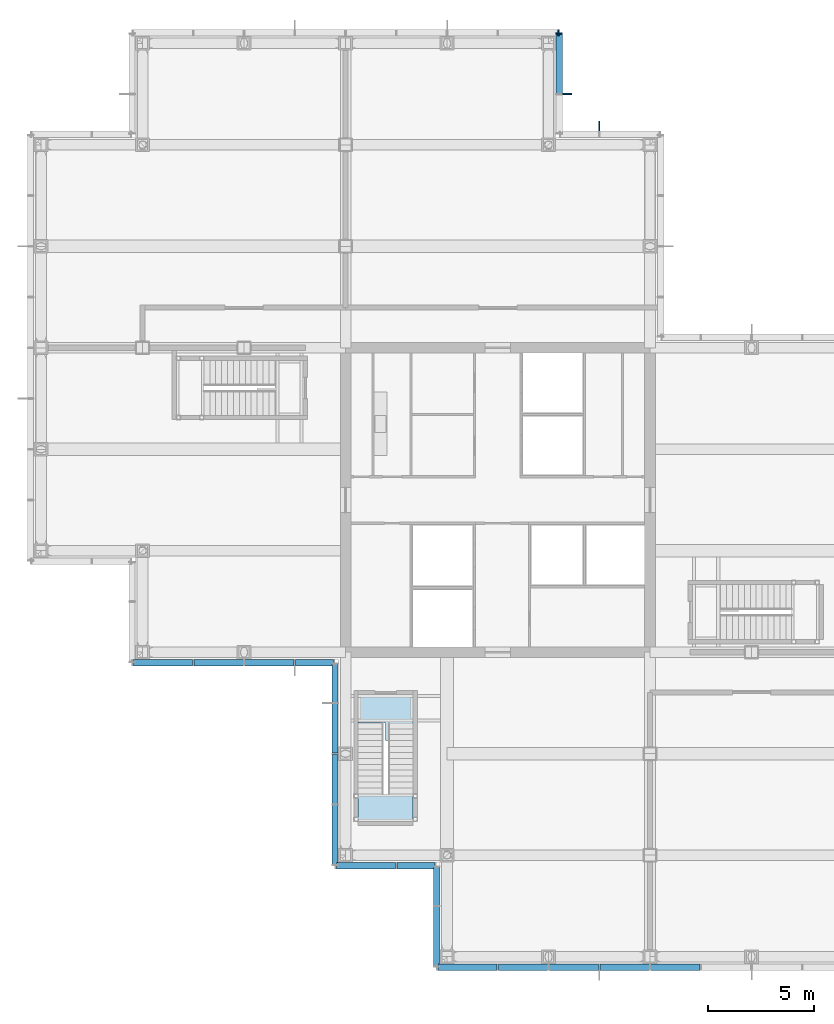
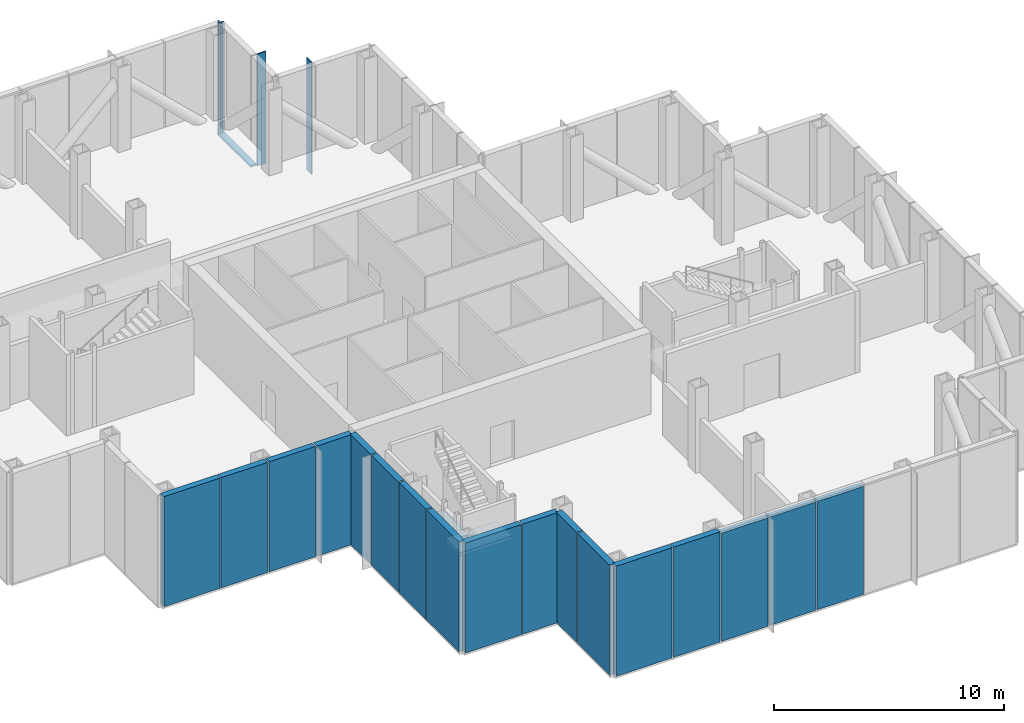
# One storey, part 11 of 17: 17 plates, 5 members, 2 slabs, 9 elements without a shape of their own.
"""IFC4 building model written with IfcOpenShell, lengths in metres."""

import ifcopenshell
import ifcopenshell.guid

model = None  # the IFC model being written
_history = None  # IfcOwnerHistory: only IFC2X3 demands one
_inside = {}  # id of a spatial element -> (the spatial element, [elements in it])
_under = {}  # id of a project, library or spatial element -> (it, [spatial elements below it])
_declared = {}  # id of a project -> (the project, [libraries it declares])
_typed = {}  # id of a type object -> (the type object, [elements of that type])
_made_of = {}  # id of a material, layer set ... -> (it, [elements and type objects made of it])


def new_model(schema):
    """Start an empty IFC model of exactly this schema.

    Asked for "IFC4X3", IfcOpenShell would pick the latest addendum, in which some entities
    have other attributes; the version numbers below select the first issue.
    IFC2X3 requires an IfcOwnerHistory on every rooted entity: one is made here for all.
    """
    global model, _history
    if schema == "IFC4X3":
        model = ifcopenshell.file(schema_version=(4, 3, 0, 0))
    else:
        model = ifcopenshell.file(schema=schema)
    _inside.clear()
    _under.clear()
    _declared.clear()
    _typed.clear()
    _made_of.clear()
    _history = None
    if model.schema == "IFC2X3":
        org = make("IfcOrganization", Name="unknown")
        user = make(
            "IfcPersonAndOrganization",
            ThePerson=make("IfcPerson", FamilyName="unknown"),
            TheOrganization=org,
        )
        app = make(
            "IfcApplication",
            ApplicationDeveloper=org,
            Version="unknown",
            ApplicationFullName="unknown",
            ApplicationIdentifier="unknown",
        )
        _history = make(
            "IfcOwnerHistory",
            OwningUser=user,
            OwningApplication=app,
            ChangeAction="ADDED",
            CreationDate=0,
        )
    return model


def make(cls, **values):
    """One entity of the class cls with the attributes given. An attribute that is None is left unset."""
    return model.create_entity(
        cls, **{name: value for name, value in values.items() if value is not None}
    )


def rooted(cls, **values):
    """An entity with a GlobalId (a new one), such as an element, a storey or a relation."""
    return make(cls, GlobalId=ifcopenshell.guid.new(), OwnerHistory=_history, **values)


def si_unit(unit_type, name, prefix=None):
    """IfcSIUnit, for example si_unit("LENGTHUNIT", "METRE", prefix="MILLI")."""
    return make("IfcSIUnit", UnitType=unit_type, Prefix=prefix, Name=name)


def assignment(units):
    """IfcUnitAssignment: the units of a project."""
    return None if units is None else make("IfcUnitAssignment", Units=units)


def point(xyz):
    """IfcCartesianPoint."""
    return None if xyz is None else make("IfcCartesianPoint", Coordinates=xyz)


def direction(xyz):
    """IfcDirection."""
    return None if xyz is None else make("IfcDirection", DirectionRatios=xyz)


def frame(location, z_axis=None, x_axis=None):
    """IfcAxis2Placement3D, a coordinate frame: its origin and axes. An axis left out is left unset."""
    return make(
        "IfcAxis2Placement3D",
        Location=point(location),
        Axis=direction(z_axis),
        RefDirection=direction(x_axis),
    )


def frame_2d(location, x_axis=None):
    """IfcAxis2Placement2D, a coordinate frame in the plane: its origin and x axis."""
    return make(
        "IfcAxis2Placement2D", Location=point(location), RefDirection=direction(x_axis)
    )


def origin():
    """The frame at (0, 0, 0) with its axes left unset."""
    return frame((0.0, 0.0, 0.0))


def origin_2d():
    """The frame at (0, 0) in the plane with its x axis left unset."""
    return frame_2d((0.0, 0.0))


def place(relative_to, where):
    """IfcLocalPlacement: puts the frame where relative to a parent placement (None: the world)."""
    return make(
        "IfcLocalPlacement", PlacementRelTo=relative_to, RelativePlacement=where
    )


def context(
    kind, dimensions, precision=None, world=None, true_north=None, identifier=None
):
    """IfcGeometricRepresentationContext, for example the 3D "Model" context."""
    return make(
        "IfcGeometricRepresentationContext",
        ContextIdentifier=identifier,
        ContextType=kind,
        CoordinateSpaceDimension=dimensions,
        Precision=precision,
        WorldCoordinateSystem=world,
        TrueNorth=true_north,
    )


def subcontext(parent, identifier, kind, view, scale=None):
    """IfcGeometricRepresentationSubContext, for example "Body" below "Model"."""
    return make(
        "IfcGeometricRepresentationSubContext",
        ContextIdentifier=identifier,
        ContextType=kind,
        ParentContext=parent,
        TargetScale=scale,
        TargetView=view,
    )


def project(units=None, contexts=None):
    """IfcProject with its units and contexts."""
    return rooted(
        "IfcProject",
        Name="project",
        RepresentationContexts=contexts,
        UnitsInContext=assignment(units),
    )


def spatial(cls, under=None, at=None, **own):
    """A site, building, storey or space (cls), placed at a placement, below another one or the project."""
    s = rooted(cls, ObjectPlacement=at, **own)
    if under is not None:
        _under.setdefault(under.id(), (under, []))[1].append(s)
    return s


def polyline(points):
    """IfcPolyline through the points."""
    return make("IfcPolyline", Points=[point(p) for p in points])


def profile(cls, at=None, kind="AREA", **sizes):
    """A parametric profile (cls). Its sizes go by their IFC names, for example OverallWidth=200.0."""
    return make(cls, ProfileType=kind, Position=at, **sizes)


def rectangle(**sizes):
    """IfcRectangleProfileDef."""
    return profile("IfcRectangleProfileDef", **sizes)


def outline(outer, holes=None, kind="AREA"):
    """IfcArbitraryClosedProfileDef: a profile drawn as a closed curve; with holes, ...WithVoids."""
    if holes is None:
        return make("IfcArbitraryClosedProfileDef", ProfileType=kind, OuterCurve=outer)
    return make(
        "IfcArbitraryProfileDefWithVoids",
        ProfileType=kind,
        OuterCurve=outer,
        InnerCurves=holes,
    )


def extrude(swept, where, along, depth):
    """IfcExtrudedAreaSolid: the profile swept, set in the frame where, extruded along a direction by depth."""
    return make(
        "IfcExtrudedAreaSolid",
        SweptArea=swept,
        Position=where,
        ExtrudedDirection=direction(along),
        Depth=depth,
    )


def shape(context_of_items, identifier, shape_type, items):
    """IfcShapeRepresentation: the items that make up one representation, for example the "Body"."""
    return make(
        "IfcShapeRepresentation",
        ContextOfItems=context_of_items,
        RepresentationIdentifier=identifier,
        RepresentationType=shape_type,
        Items=items,
    )


def material(Name=None, Category=None):
    """IfcMaterial."""
    return make("IfcMaterial", Name=Name, Category=Category)


def layer(
    of_material, thickness, ventilated=None, Name=None, Category=None, Priority=None
):
    """IfcMaterialLayer: one layer of a wall or slab, of a material (None: an air gap)."""
    return make(
        "IfcMaterialLayer",
        Material=of_material,
        LayerThickness=thickness,
        IsVentilated=ventilated,
        Name=Name,
        Category=Category,
        Priority=Priority,
    )


def layer_set(layers, Name=None):
    """IfcMaterialLayerSet."""
    return make("IfcMaterialLayerSet", MaterialLayers=layers, LayerSetName=Name)


def material_profile(
    of_material, cross_section, Name=None, Category=None, Priority=None
):
    """IfcMaterialProfile: a cross section and its material."""
    return make(
        "IfcMaterialProfile",
        Name=Name,
        Material=of_material,
        Profile=cross_section,
        Priority=Priority,
        Category=Category,
    )


def profile_set(profiles, Name=None, composite=None):
    """IfcMaterialProfileSet."""
    return make(
        "IfcMaterialProfileSet",
        Name=Name,
        MaterialProfiles=profiles,
        CompositeProfile=composite,
    )


def made_of(thing, what):
    """Note that an element or type object is made of a material, layer set ...; save() writes the relation."""
    if what is not None:
        _made_of.setdefault(what.id(), (what, []))[1].append(thing)
    return thing


def type_object(cls, material=None, **own):
    """A type object (cls), such as IfcWallType, which elements share."""
    return made_of(rooted(cls, **own), material)


def element(
    cls,
    number,
    at=None,
    inside=None,
    cuts=None,
    type_object=None,
    material=None,
    context=None,
    identifier="Body",
    shape_type=None,
    held_by="IfcProductDefinitionShape",
    body=None,
    shapes=None,
    **own,
):
    """One element of the class cls, such as IfcWall. Its Tag is "e" and its number.

    at: its placement. inside: the storey or other place that contains it. cuts: it is an
    opening in that element (IfcRelVoidsElement). A single representation is given by context,
    identifier, shape_type and body (its items); several are given by shapes. held_by: the class
    of the entity that holds the representations. save() writes the other relations.
    """
    e = rooted(cls, Tag="e%d" % number, ObjectPlacement=at, **own)
    if body is not None:
        shapes = [shape(context, identifier, shape_type, body)]
    if shapes is not None:
        e.Representation = make(held_by, Representations=shapes)
    if inside is not None:
        _inside.setdefault(inside.id(), (inside, []))[1].append(e)
    if cuts is not None:
        rooted(
            "IfcRelVoidsElement", RelatingBuildingElement=cuts, RelatedOpeningElement=e
        )
    if type_object is not None:
        _typed.setdefault(type_object.id(), (type_object, []))[1].append(e)
    return made_of(e, material)


def aggregate(whole, parts):
    """IfcRelAggregates: a whole, such as a stair, and the parts it consists of."""
    return rooted("IfcRelAggregates", RelatingObject=whole, RelatedObjects=parts)


def save(model, path):
    """Write the relations noted so far, then the file.

    IfcRelAggregates (storeys below a building ...), IfcRelContainedInSpatialStructure (elements
    in a storey), IfcRelDefinesByType, IfcRelAssociatesMaterial and IfcRelDeclares: one each for
    every whole, place, type object, material and project.
    """
    for whole, parts in _under.values():
        aggregate(whole, parts)
    for where, things in _inside.values():
        rooted(
            "IfcRelContainedInSpatialStructure",
            RelatedElements=things,
            RelatingStructure=where,
        )
    for kind, things in _typed.values():
        rooted("IfcRelDefinesByType", RelatedObjects=things, RelatingType=kind)
    for what, things in _made_of.values():
        rooted("IfcRelAssociatesMaterial", RelatedObjects=things, RelatingMaterial=what)
    for by, libraries in _declared.values():
        rooted("IfcRelDeclares", RelatingContext=by, RelatedDefinitions=libraries)
    model.write(path)


model = new_model("IFC4")

# Units and contexts
model_context = context("Model", 3, precision=1e-05, world=origin(), true_north=direction((0.0, 1.0)))
body_context = subcontext(model_context, "Body", "Model", "MODEL_VIEW")
ifc_project = project(units=[si_unit("LENGTHUNIT", "METRE"), si_unit("AREAUNIT", "SQUARE_METRE"), si_unit("VOLUMEUNIT", "CUBIC_METRE"), si_unit("PLANEANGLEUNIT", "RADIAN"), si_unit("MASSUNIT", "GRAM", prefix="KILO")], contexts=[model_context])

# Site, building, storey
site_placement = place(None, origin())
site = spatial("IfcSite", under=ifc_project, at=site_placement, CompositionType="ELEMENT")
building_placement = place(site_placement, origin())
building = spatial("IfcBuilding", under=site, at=building_placement, Name="Kvirike Care Tower", CompositionType="ELEMENT")
storey_placement = place(building_placement, frame((0.0, 0.0, 136.5)))
storey = spatial("IfcBuildingStorey", under=building, at=storey_placement, Name="L37", CompositionType="ELEMENT", Elevation=136.5)

# Curtain wall, member
ifc_material_1 = material(Name="Anodised aluminium stick system", Category="aluminium")
curtain_wall_type = type_object("IfcCurtainWallType", Name="CW-L LOUVRED PLANT SCREEN", PredefinedType="NOTDEFINED", material=ifc_material_1)
curtain_wall_1_placement = place(storey_placement, origin())
curtain_wall_1 = element("IfcCurtainWall", 1, at=curtain_wall_1_placement, inside=storey, type_object=curtain_wall_type, Name="Curtain wall L37 face 6", PredefinedType="NOTDEFINED")
ifc_material_2 = material(Name="Bronze anodised aluminium fin", Category="aluminium")
ifc_material_profile_1 = material_profile(ifc_material_2, rectangle(XDim=0.050048828125, YDim=0.449951171875, at=origin_2d()), Name="BRONZE FIN 450")
ifc_profile_set_1 = profile_set([ifc_material_profile_1], Name="Bronze anodised aluminium fin")
member_type_1 = type_object("IfcMemberType", Name="BRONZE FIN 450", PredefinedType="USERDEFINED", material=ifc_profile_set_1)
member_1_placement = place(storey_placement, frame((26.39990234375, 53.675048828125, -1.449951171875), z_axis=(0.0, 0.0, 1.0), x_axis=(-1.0, 0.0, 0.0)))
member_1 = element("IfcMember", 2, at=member_1_placement, type_object=member_type_1, Name="Bronze fin L37 face 6.2", ObjectType="FIN", PredefinedType="USERDEFINED", context=body_context, shape_type="SweptSolid", body=[
    extrude(rectangle(XDim=0.050048828125, YDim=0.449951171875, at=origin_2d()), origin(), (0.0, 0.0, 1.0), 5.949951171875),
])
aggregate(curtain_wall_1, [member_1])

# Curtain wall, members
curtain_wall_2_placement = place(storey_placement, origin())
curtain_wall_2 = element("IfcCurtainWall", 3, at=curtain_wall_2_placement, inside=storey, type_object=curtain_wall_type, Name="Curtain wall L37 face 7", PredefinedType="NOTDEFINED")
member_2_placement = place(storey_placement, frame((24.875, 55.199951171875, -1.449951171875), z_axis=(0.0, 0.0, 1.0), x_axis=(0.0, 1.0, 0.0)))
member_2 = element("IfcMember", 4, at=member_2_placement, type_object=member_type_1, Name="Bronze fin L37 face 7.2", ObjectType="FIN", PredefinedType="USERDEFINED", context=body_context, shape_type="SweptSolid", body=[
    extrude(rectangle(XDim=0.050048828125, YDim=0.449951171875, at=origin_2d()), origin(), (0.0, 0.0, 1.0), 5.949951171875),
])
ifc_material_3 = material(Name="Bronze anodised aluminium mullion", Category="aluminium")
ifc_material_profile_2 = material_profile(ifc_material_3, rectangle(XDim=0.06494140625, YDim=0.300048828125, at=origin_2d()), Name="CW-L MULLION 65x300")
ifc_profile_set_2 = profile_set([ifc_material_profile_2], Name="Bronze anodised aluminium mullion")
member_type_2 = type_object("IfcMemberType", Name="CW-L MULLION 65x300", PredefinedType="MULLION", material=ifc_profile_set_2)
member_3_placement = place(storey_placement, frame((24.5, 58.0673828125, -1.449951171875), z_axis=(0.0, 0.0, 1.0), x_axis=(0.0, 1.0, 0.0)))
member_3 = element("IfcMember", 5, at=member_3_placement, type_object=member_type_2, Name="CW-L mullion L37 face 7.3", PredefinedType="MULLION", context=body_context, shape_type="SweptSolid", body=[
    extrude(rectangle(XDim=0.06494140625, YDim=0.300048828125, at=origin_2d()), origin(), (0.0, 0.0, 1.0), 5.949951171875),
])

# Curtain wall, member
curtain_wall_3_placement = place(storey_placement, origin())
curtain_wall_3 = element("IfcCurtainWall", 6, at=curtain_wall_3_placement, inside=storey, type_object=curtain_wall_type, Name="Curtain wall L37 face 8", PredefinedType="NOTDEFINED")
member_4_placement = place(storey_placement, frame((24.467529296875, 58.10009765625, -1.449951171875), z_axis=(0.0, 0.0, 1.0), x_axis=(-1.0, 0.0, 0.0)))
member_4 = element("IfcMember", 7, at=member_4_placement, type_object=member_type_2, Name="CW-L mullion L37 face 8.1", PredefinedType="MULLION", context=body_context, shape_type="SweptSolid", body=[
    extrude(rectangle(XDim=0.06494140625, YDim=0.300048828125, at=origin_2d()), origin(), (0.0, 0.0, 1.0), 5.949951171875),
])
aggregate(curtain_wall_3, [member_4])

# Member
ifc_material_4 = material(Name="Bronze anodised aluminium transom", Category="aluminium")
ifc_material_profile_3 = material_profile(ifc_material_4, rectangle(XDim=0.300048828125, YDim=0.10009765625, at=origin_2d()), Name="CW-L TRANSOM 300x100")
ifc_profile_set_3 = profile_set([ifc_material_profile_3], Name="Bronze anodised aluminium transom")
member_type_3 = type_object("IfcMemberType", Name="CW-L TRANSOM 300x100", PredefinedType="USERDEFINED", material=ifc_profile_set_3)
member_5_placement = place(storey_placement, frame((24.5, 55.232421875, -1.39990234375), z_axis=(0.0, 1.0, 0.0), x_axis=(-1.0, 0.0, 0.0)))
member_5 = element("IfcMember", 8, at=member_5_placement, type_object=member_type_3, Name="CW-L sill transom L37 face 7.2", ObjectType="TRANSOM", PredefinedType="USERDEFINED", context=body_context, shape_type="SweptSolid", body=[
    extrude(rectangle(XDim=0.300048828125, YDim=0.10009765625, at=origin_2d()), origin(), (0.0, 0.0, 1.0), 2.802490234375),
])

aggregate(curtain_wall_2, [member_2, member_3, member_5])

# Curtain wall, plates
curtain_wall_4_placement = place(storey_placement, origin())
curtain_wall_4 = element("IfcCurtainWall", 9, at=curtain_wall_4_placement, inside=storey, type_object=curtain_wall_type, Name="Curtain wall L37 face 14", PredefinedType="NOTDEFINED")
ifc_material_5 = material(Name="Bronze anodised aluminium louvre", Category="aluminium")
ifc_layer_1 = layer(ifc_material_5, 0.300048828125)
ifc_layer_set_1 = layer_set([ifc_layer_1], Name="BRONZE LOUVRE PANEL")
plate_type = type_object("IfcPlateType", Name="BRONZE LOUVRE PANEL", PredefinedType="CURTAIN_PANEL", material=ifc_layer_set_1)
plate_1_placement = place(storey_placement, frame((5.766357421875, 28.300048828125, -1.35009765625), z_axis=(0.0, 0.0, 1.0), x_axis=(1.0, 0.0, 0.0)))
plate_1 = element("IfcPlate", 10, at=plate_1_placement, type_object=plate_type, Name="CW-L panel L37 face 14.1", PredefinedType="CURTAIN_PANEL", context=body_context, shape_type="SweptSolid", body=[
    extrude(rectangle(XDim=2.802490234375, YDim=0.300048828125, at=origin_2d()), origin(), (0.0, 0.0, 1.0), 5.85009765625),
])
plate_2_placement = place(storey_placement, frame((8.39990234375, 28.300048828125, -1.35009765625), z_axis=(0.0, 0.0, 1.0), x_axis=(1.0, 0.0, 0.0)))
plate_2 = element("IfcPlate", 11, at=plate_2_placement, type_object=plate_type, Name="CW-L panel L37 face 14.2", PredefinedType="CURTAIN_PANEL", context=body_context, shape_type="SweptSolid", body=[
    extrude(rectangle(XDim=2.3349609375, YDim=0.300048828125, at=origin_2d()), origin(), (0.0, 0.0, 1.0), 5.85009765625),
])
plate_3_placement = place(storey_placement, frame((10.800048828125, 28.300048828125, -1.35009765625), z_axis=(0.0, 0.0, 1.0), x_axis=(1.0, 0.0, 0.0)))
plate_3 = element("IfcPlate", 12, at=plate_3_placement, type_object=plate_type, Name="CW-L panel L37 face 14.3", PredefinedType="CURTAIN_PANEL", context=body_context, shape_type="SweptSolid", body=[
    extrude(rectangle(XDim=2.3349609375, YDim=0.300048828125, at=origin_2d()), origin(), (0.0, 0.0, 1.0), 5.85009765625),
])
plate_4_placement = place(storey_placement, frame((12.933837890625, 28.300048828125, -1.35009765625), z_axis=(0.0, 0.0, 1.0), x_axis=(1.0, 0.0, 0.0)))
plate_4 = element("IfcPlate", 13, at=plate_4_placement, type_object=plate_type, Name="CW-L panel L37 face 14.4", PredefinedType="CURTAIN_PANEL", context=body_context, shape_type="SweptSolid", body=[
    extrude(rectangle(XDim=1.802490234375, YDim=0.300048828125, at=origin_2d()), origin(), (0.0, 0.0, 1.0), 5.85009765625),
])
aggregate(curtain_wall_4, [plate_1, plate_2, plate_3, plate_4])

curtain_wall_5_placement = place(storey_placement, origin())
curtain_wall_5 = element("IfcCurtainWall", 14, at=curtain_wall_5_placement, inside=storey, type_object=curtain_wall_type, Name="Curtain wall L37 face 15", PredefinedType="NOTDEFINED")
plate_5_placement = place(storey_placement, frame((13.89990234375, 27.333740234375, -1.35009765625), z_axis=(0.0, 0.0, 1.0), x_axis=(0.0, -1.0, 0.0)))
plate_5 = element("IfcPlate", 15, at=plate_5_placement, type_object=plate_type, Name="CW-L panel L37 face 15.1", PredefinedType="CURTAIN_PANEL", context=body_context, shape_type="SweptSolid", body=[
    extrude(rectangle(XDim=1.802490234375, YDim=0.300048828125, at=origin_2d()), origin(), (0.0, 0.0, 1.0), 5.85009765625),
])
plate_6_placement = place(storey_placement, frame((13.89990234375, 25.199951171875, -1.35009765625), z_axis=(0.0, 0.0, 1.0), x_axis=(0.0, -1.0, 0.0)))
plate_6 = element("IfcPlate", 16, at=plate_6_placement, type_object=plate_type, Name="CW-L panel L37 face 15.2", PredefinedType="CURTAIN_PANEL", context=body_context, shape_type="SweptSolid", body=[
    extrude(rectangle(XDim=2.3349609375, YDim=0.300048828125, at=origin_2d()), origin(), (0.0, 0.0, 1.0), 5.85009765625),
])
plate_7_placement = place(storey_placement, frame((13.89990234375, 22.800048828125, -1.35009765625), z_axis=(0.0, 0.0, 1.0), x_axis=(0.0, -1.0, 0.0)))
plate_7 = element("IfcPlate", 17, at=plate_7_placement, type_object=plate_type, Name="CW-L panel L37 face 15.3", PredefinedType="CURTAIN_PANEL", context=body_context, shape_type="SweptSolid", body=[
    extrude(rectangle(XDim=2.3349609375, YDim=0.300048828125, at=origin_2d()), origin(), (0.0, 0.0, 1.0), 5.85009765625),
])
plate_8_placement = place(storey_placement, frame((13.89990234375, 20.166259765625, -1.35009765625), z_axis=(0.0, 0.0, 1.0), x_axis=(0.0, -1.0, 0.0)))
plate_8 = element("IfcPlate", 18, at=plate_8_placement, type_object=plate_type, Name="CW-L panel L37 face 15.4", PredefinedType="CURTAIN_PANEL", context=body_context, shape_type="SweptSolid", body=[
    extrude(rectangle(XDim=2.802490234375, YDim=0.300048828125, at=origin_2d()), origin(), (0.0, 0.0, 1.0), 5.85009765625),
])
aggregate(curtain_wall_5, [plate_5, plate_6, plate_7, plate_8])

curtain_wall_6_placement = place(storey_placement, origin())
curtain_wall_6 = element("IfcCurtainWall", 19, at=curtain_wall_6_placement, inside=storey, type_object=curtain_wall_type, Name="Curtain wall L37 face 16", PredefinedType="NOTDEFINED")
plate_9_placement = place(storey_placement, frame((15.3662109375, 18.699951171875, -1.35009765625), z_axis=(0.0, 0.0, 1.0), x_axis=(1.0, 0.0, 0.0)))
plate_9 = element("IfcPlate", 20, at=plate_9_placement, type_object=plate_type, Name="CW-L panel L37 face 16.1", PredefinedType="CURTAIN_PANEL", context=body_context, shape_type="SweptSolid", body=[
    extrude(rectangle(XDim=2.802490234375, YDim=0.300048828125, at=origin_2d()), origin(), (0.0, 0.0, 1.0), 5.85009765625),
])
plate_10_placement = place(storey_placement, frame((17.733642578125, 18.699951171875, -1.35009765625), z_axis=(0.0, 0.0, 1.0), x_axis=(1.0, 0.0, 0.0)))
plate_10 = element("IfcPlate", 21, at=plate_10_placement, type_object=plate_type, Name="CW-L panel L37 face 16.2", PredefinedType="CURTAIN_PANEL", context=body_context, shape_type="SweptSolid", body=[
    extrude(rectangle(XDim=1.802490234375, YDim=0.300048828125, at=origin_2d()), origin(), (0.0, 0.0, 1.0), 5.85009765625),
])
aggregate(curtain_wall_6, [plate_9, plate_10])

curtain_wall_7_placement = place(storey_placement, origin())
curtain_wall_7 = element("IfcCurtainWall", 22, at=curtain_wall_7_placement, inside=storey, type_object=curtain_wall_type, Name="Curtain wall L37 face 17", PredefinedType="NOTDEFINED")
plate_11_placement = place(storey_placement, frame((18.699951171875, 17.733642578125, -1.35009765625), z_axis=(0.0, 0.0, 1.0), x_axis=(0.0, -1.0, 0.0)))
plate_11 = element("IfcPlate", 23, at=plate_11_placement, type_object=plate_type, Name="CW-L panel L37 face 17.1", PredefinedType="CURTAIN_PANEL", context=body_context, shape_type="SweptSolid", body=[
    extrude(rectangle(XDim=1.802490234375, YDim=0.300048828125, at=origin_2d()), origin(), (0.0, 0.0, 1.0), 5.85009765625),
])
plate_12_placement = place(storey_placement, frame((18.699951171875, 15.3662109375, -1.35009765625), z_axis=(0.0, 0.0, 1.0), x_axis=(0.0, -1.0, 0.0)))
plate_12 = element("IfcPlate", 24, at=plate_12_placement, type_object=plate_type, Name="CW-L panel L37 face 17.2", PredefinedType="CURTAIN_PANEL", context=body_context, shape_type="SweptSolid", body=[
    extrude(rectangle(XDim=2.802490234375, YDim=0.300048828125, at=origin_2d()), origin(), (0.0, 0.0, 1.0), 5.85009765625),
])
aggregate(curtain_wall_7, [plate_11, plate_12])

curtain_wall_8_placement = place(storey_placement, origin())
curtain_wall_8 = element("IfcCurtainWall", 25, at=curtain_wall_8_placement, inside=storey, type_object=curtain_wall_type, Name="Curtain wall L37 face 18", PredefinedType="NOTDEFINED")
plate_13_placement = place(storey_placement, frame((20.166259765625, 13.89990234375, -1.35009765625), z_axis=(0.0, 0.0, 1.0), x_axis=(1.0, 0.0, 0.0)))
plate_13 = element("IfcPlate", 26, at=plate_13_placement, type_object=plate_type, Name="CW-L panel L37 face 18.1", PredefinedType="CURTAIN_PANEL", context=body_context, shape_type="SweptSolid", body=[
    extrude(rectangle(XDim=2.802490234375, YDim=0.300048828125, at=origin_2d()), origin(), (0.0, 0.0, 1.0), 5.85009765625),
])
plate_14_placement = place(storey_placement, frame((22.800048828125, 13.89990234375, -1.35009765625), z_axis=(0.0, 0.0, 1.0), x_axis=(1.0, 0.0, 0.0)))
plate_14 = element("IfcPlate", 27, at=plate_14_placement, type_object=plate_type, Name="CW-L panel L37 face 18.2", PredefinedType="CURTAIN_PANEL", context=body_context, shape_type="SweptSolid", body=[
    extrude(rectangle(XDim=2.3349609375, YDim=0.300048828125, at=origin_2d()), origin(), (0.0, 0.0, 1.0), 5.85009765625),
])
plate_15_placement = place(storey_placement, frame((25.199951171875, 13.89990234375, -1.35009765625), z_axis=(0.0, 0.0, 1.0), x_axis=(1.0, 0.0, 0.0)))
plate_15 = element("IfcPlate", 28, at=plate_15_placement, type_object=plate_type, Name="CW-L panel L37 face 18.3", PredefinedType="CURTAIN_PANEL", context=body_context, shape_type="SweptSolid", body=[
    extrude(rectangle(XDim=2.3349609375, YDim=0.300048828125, at=origin_2d()), origin(), (0.0, 0.0, 1.0), 5.75),
])
plate_16_placement = place(storey_placement, frame((27.60009765625, 13.89990234375, -1.35009765625), z_axis=(0.0, 0.0, 1.0), x_axis=(1.0, 0.0, 0.0)))
plate_16 = element("IfcPlate", 29, at=plate_16_placement, type_object=plate_type, Name="CW-L panel L37 face 18.4", PredefinedType="CURTAIN_PANEL", context=body_context, shape_type="SweptSolid", body=[
    extrude(rectangle(XDim=2.3349609375, YDim=0.300048828125, at=origin_2d()), origin(), (0.0, 0.0, 1.0), 5.75),
])
plate_17_placement = place(storey_placement, frame((30.0, 13.89990234375, -1.35009765625), z_axis=(0.0, 0.0, 1.0), x_axis=(1.0, 0.0, 0.0)))
plate_17 = element("IfcPlate", 30, at=plate_17_placement, type_object=plate_type, Name="CW-L panel L37 face 18.5", PredefinedType="CURTAIN_PANEL", context=body_context, shape_type="SweptSolid", body=[
    extrude(rectangle(XDim=2.3349609375, YDim=0.300048828125, at=origin_2d()), origin(), (0.0, 0.0, 1.0), 5.75),
])
aggregate(curtain_wall_8, [plate_13, plate_14, plate_15, plate_16, plate_17])

# Stair, slabs
ifc_material_6 = material(Name="Concrete C35/45", Category="concrete")
stair_type = type_object("IfcStairType", Name="STAIR 26 RISERS", PredefinedType="HALF_TURN_STAIR", material=ifc_material_6)
stair_placement = place(storey_placement, origin())
stair = element("IfcStair", 31, at=stair_placement, inside=storey, type_object=stair_type, Name="Stair 5 L37", PredefinedType="HALF_TURN_STAIR")
ifc_material_7 = material(Name="Concrete C35/45", Category="concrete")
ifc_layer_2 = layer(ifc_material_7, 0.199951171875)
ifc_layer_set_2 = layer_set([ifc_layer_2], Name="STAIR LANDING 200")
slab_type_1 = type_object("IfcSlabType", Name="STAIR LANDING 200", PredefinedType="LANDING", material=ifc_layer_set_2)
slab_1_placement = place(storey_placement, frame((0.0, 0.0, 2.050048828125)))
slab_1 = element("IfcSlab", 32, at=slab_1_placement, type_object=slab_type_1, Name="Stair S5 half landing L37-L38", PredefinedType="LANDING", context=body_context, shape_type="SweptSolid", body=[
    extrude(outline(polyline([(15.0, 20.800048828125), (17.60009765625, 20.800048828125), (17.60009765625, 22.10009765625), (15.0, 22.10009765625), (15.0, 20.800048828125)])), origin(), (0.0, 0.0, 1.0), 0.199951171875),
])
ifc_material_8 = material(Name="Concrete C35/45", Category="concrete")
ifc_layer_3 = layer(ifc_material_8, 0.25)
ifc_layer_set_3 = layer_set([ifc_layer_3], Name="STAIR LANDING 250")
slab_type_2 = type_object("IfcSlabType", Name="STAIR LANDING 250", PredefinedType="LANDING", material=ifc_layer_set_3)
slab_2_placement = place(storey_placement, frame((0.0, 0.0, -0.25)))
slab_2 = element("IfcSlab", 33, at=slab_2_placement, type_object=slab_type_2, Name="Stair S5 floor landing L37", PredefinedType="LANDING", context=body_context, shape_type="SweptSolid", body=[
    extrude(outline(polyline([(15.0, 25.4599609375), (16.300048828125, 25.4599609375), (16.300048828125, 24.6201171875), (17.60009765625, 24.6201171875), (17.60009765625, 26.800048828125), (15.0, 26.800048828125), (15.0, 25.4599609375)])), origin(), (0.0, 0.0, 1.0), 0.25),
])
aggregate(stair, [slab_2, slab_1])

save(model, "model.ifc")
